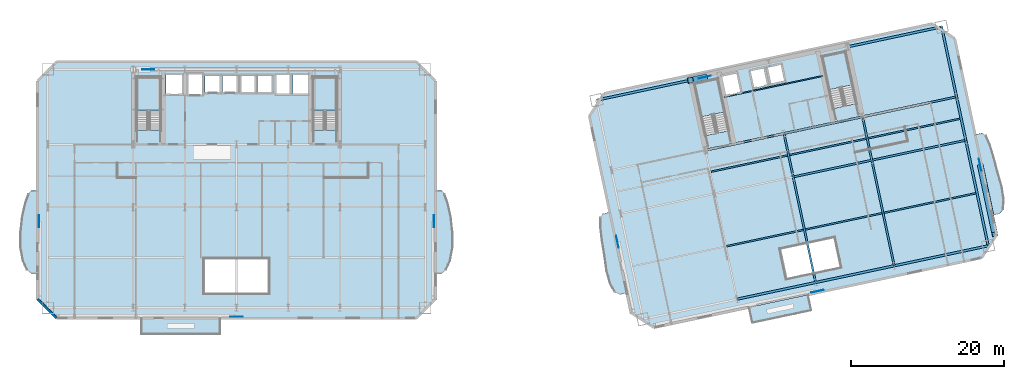
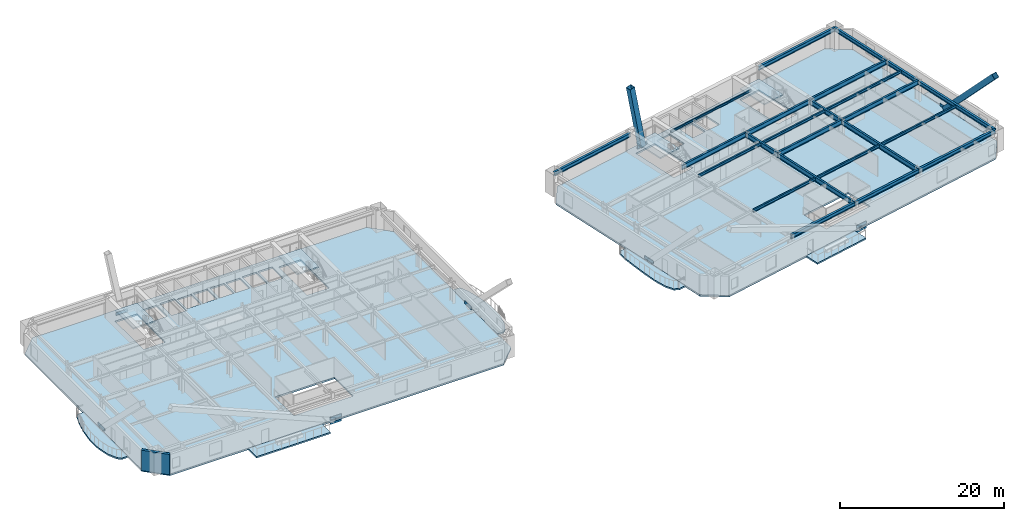
# One storey, part 4 of 18: 24 beams, 12 slabs, 8 plates, 2 members, 1 wall, 4 elements without a shape of their own.
"""IFC4 building model written with IfcOpenShell, lengths in metres."""

from ifc_helpers import new_model, si_unit, direction, frame, frame_2d, origin, origin_2d, place, context, subcontext, project, spatial, polyline, rectangle, hollow_rectangle, i_section, outline, extrude, material, layer, layer_set, material_profile, profile_set, type_object, element, aggregate, save


model = new_model("IFC4")

# Units and contexts
model_context = context("Model", 3, precision=1e-05, world=origin(), true_north=direction((0.0, 1.0)))
body_context = subcontext(model_context, "Body", "Model", "MODEL_VIEW")
ifc_project = project(units=[si_unit("LENGTHUNIT", "METRE"), si_unit("AREAUNIT", "SQUARE_METRE"), si_unit("VOLUMEUNIT", "CUBIC_METRE"), si_unit("PLANEANGLEUNIT", "RADIAN"), si_unit("MASSUNIT", "GRAM", prefix="KILO")], contexts=[model_context])

# Site, building, storey
site_placement = place(None, origin())
site = spatial("IfcSite", under=ifc_project, at=site_placement, CompositionType="ELEMENT")
building_placement = place(site_placement, origin())
building = spatial("IfcBuilding", under=site, at=building_placement, Name="Haevon Station Towers", CompositionType="ELEMENT")
storey_placement = place(building_placement, frame((0.0, 0.0, 60.300048828125)))
storey = spatial("IfcBuildingStorey", under=building, at=storey_placement, Name="L15", CompositionType="ELEMENT", Elevation=60.300048828125)

# Beams
ifc_material_1 = material(Name="Steel S355", Category="steel")
ifc_material_profile_1 = material_profile(ifc_material_1, i_section(OverallWidth=0.25, OverallDepth=0.699951171875, WebThickness=0.012939453125, FlangeThickness=0.02392578125, at=origin_2d()), Name="H-700x250x13x24")
ifc_profile_set_1 = profile_set([ifc_material_profile_1], Name="Steel S355")
beam_type_1 = type_object("IfcBeamType", Name="BM-G700", PredefinedType="BEAM", material=ifc_profile_set_1)
beam_1_placement = place(storey_placement, frame((110.228759765625, 33.9521484375, 2.699951171875), z_axis=(0.978146794194, 0.207915485254, 0.0), x_axis=(-0.207915485254, 0.978146794194, 0.0)))
element("IfcBeam", 1, at=beam_1_placement, inside=storey, type_object=beam_type_1, Name="BM-T2U-L15-02-03", PredefinedType="BEAM", context=body_context, shape_type="SweptSolid", body=[
    extrude(i_section(OverallWidth=0.25, OverallDepth=0.699951171875, WebThickness=0.012939453125, FlangeThickness=0.02392578125, at=origin_2d()), origin(), (0.0, 0.0, 1.0), 10.5),
])
beam_2_placement = place(storey_placement, frame((120.499267578125, 36.13525390625, 2.699951171875), z_axis=(0.978146686984, 0.207915989628, 0.0), x_axis=(-0.207915989628, 0.978146686984, 0.0)))
element("IfcBeam", 2, at=beam_2_placement, inside=storey, type_object=beam_type_1, Name="BM-T2U-L15-02-04", PredefinedType="BEAM", context=body_context, shape_type="SweptSolid", body=[
    extrude(i_section(OverallWidth=0.25, OverallDepth=0.699951171875, WebThickness=0.012939453125, FlangeThickness=0.02392578125, at=origin_2d()), origin(), (0.0, 0.0, 1.0), 12.550048828125),
])
for number, where, z_axis, x_axis, name in (
    (3, (98.75244140625, 37.4423828125, 2.699951171875), (0.978146794194, 0.207915485254, 0.0), (-0.207915485254, 0.978146794194, 0.0), "BM-T2U-L15-03-02"),
    (4, (109.02294921875, 39.62548828125, 2.699951171875), (0.978146794194, 0.207915485254, 0.0), (-0.207915485254, 0.978146794194, 0.0), "BM-T2U-L15-03-03"),
):
    element("IfcBeam", number, at=place(storey_placement, frame(where, z_axis=z_axis, x_axis=x_axis)), inside=storey, type_object=beam_type_1, Name=name, PredefinedType="BEAM", context=body_context, shape_type="SweptSolid", body=[
        extrude(i_section(OverallWidth=0.25, OverallDepth=0.699951171875, WebThickness=0.012939453125, FlangeThickness=0.02392578125, at=origin_2d()), origin(), (0.0, 0.0, 1.0), 10.5),
    ])
beam_3_placement = place(storey_placement, frame((119.29345703125, 41.80859375, 2.699951171875), z_axis=(0.978145846015, 0.207919945948, 0.0), x_axis=(-0.207919945948, 0.978145846015, 0.0)))
element("IfcBeam", 5, at=beam_3_placement, inside=storey, type_object=beam_type_1, Name="BM-T2U-L15-03-04", PredefinedType="BEAM", context=body_context, shape_type="SweptSolid", body=[
    extrude(i_section(OverallWidth=0.25, OverallDepth=0.699951171875, WebThickness=0.012939453125, FlangeThickness=0.02392578125, at=origin_2d()), origin(), (0.0, 0.0, 1.0), 12.5498046875),
])
beam_4_placement = place(storey_placement, frame((113.160400390625, 20.160400390625, 2.699951171875), z_axis=(-0.207919431961, 0.978145955271, 0.0), x_axis=(-0.978145955271, -0.207919431961, 0.0)))
element("IfcBeam", 6, at=beam_4_placement, inside=storey, type_object=beam_type_1, Name="BM-T2V-L15-03-01", PredefinedType="BEAM", context=body_context, shape_type="SweptSolid", body=[
    extrude(i_section(OverallWidth=0.25, OverallDepth=0.699951171875, WebThickness=0.012939453125, FlangeThickness=0.02392578125, at=origin_2d()), origin(), (0.0, 0.0, 1.0), 14.099853515625),
])
beam_5_placement = place(storey_placement, frame((110.228759765625, 33.9521484375, 2.699951171875), z_axis=(-0.207896009217, 0.97815093383, 0.0), x_axis=(-0.97815093383, -0.207896009217, 0.0)))
element("IfcBeam", 7, at=beam_5_placement, inside=storey, type_object=beam_type_1, Name="BM-T2V-L15-03-02", PredefinedType="BEAM", context=body_context, shape_type="SweptSolid", body=[
    extrude(i_section(OverallWidth=0.25, OverallDepth=0.699951171875, WebThickness=0.012939453125, FlangeThickness=0.02392578125, at=origin_2d()), origin(), (0.0, 0.0, 1.0), 5.800048828125),
])
beam_6_placement = place(storey_placement, frame((123.430908203125, 22.343505859375, 2.699951171875), z_axis=(-0.207919431961, 0.978145955271, 0.0), x_axis=(-0.978145955271, -0.207919431961, 0.0)))
element("IfcBeam", 8, at=beam_6_placement, inside=storey, type_object=beam_type_1, Name="BM-T2V-L15-04-01", PredefinedType="BEAM", context=body_context, shape_type="SweptSolid", body=[
    extrude(i_section(OverallWidth=0.25, OverallDepth=0.699951171875, WebThickness=0.012939453125, FlangeThickness=0.02392578125, at=origin_2d()), origin(), (0.0, 0.0, 1.0), 14.099853515625),
])
beam_7_placement = place(storey_placement, frame((120.499267578125, 36.13525390625, 2.699951171875), z_axis=(-0.207896009217, 0.97815093383, 0.0), x_axis=(-0.97815093383, -0.207896009217, 0.0)))
element("IfcBeam", 9, at=beam_7_placement, inside=storey, type_object=beam_type_1, Name="BM-T2V-L15-04-02", PredefinedType="BEAM", context=body_context, shape_type="SweptSolid", body=[
    extrude(i_section(OverallWidth=0.25, OverallDepth=0.699951171875, WebThickness=0.012939453125, FlangeThickness=0.02392578125, at=origin_2d()), origin(), (0.0, 0.0, 1.0), 5.800048828125),
])
ifc_material_profile_2 = material_profile(ifc_material_1, i_section(OverallWidth=0.199951171875, OverallDepth=0.39990234375, WebThickness=0.008056640625, FlangeThickness=0.012939453125, at=origin_2d()), Name="H-400x200x8x13")
ifc_profile_set_2 = profile_set([ifc_material_profile_2], Name="Steel S355")
beam_type_2 = type_object("IfcBeamType", Name="BM-J400", PredefinedType="JOIST", material=ifc_profile_set_2)
beam_8_placement = place(storey_placement, frame((101.531494140625, 24.89599609375, 2.849853515625), z_axis=(0.978145509903, 0.207921527161, 0.0), x_axis=(-0.207921527161, 0.978145509903, 0.0)))
element("IfcBeam", 10, at=beam_8_placement, inside=storey, type_object=beam_type_2, Name="BM-T2J-L15-01-02", PredefinedType="JOIST", context=body_context, shape_type="SweptSolid", body=[
    extrude(i_section(OverallWidth=0.199951171875, OverallDepth=0.39990234375, WebThickness=0.008056640625, FlangeThickness=0.012939453125, at=origin_2d()), origin(), (0.0, 0.0, 1.0), 10.280029296875),
])
beam_9_placement = place(storey_placement, frame((111.80224609375, 27.0791015625, 2.849853515625), z_axis=(0.97814448317, 0.207926357261, 0.0), x_axis=(-0.207926357261, 0.97814448317, 0.0)))
element("IfcBeam", 11, at=beam_9_placement, inside=storey, type_object=beam_type_2, Name="BM-T2J-L15-01-03", PredefinedType="JOIST", context=body_context, shape_type="SweptSolid", body=[
    extrude(i_section(OverallWidth=0.199951171875, OverallDepth=0.39990234375, WebThickness=0.008056640625, FlangeThickness=0.012939453125, at=origin_2d()), origin(), (0.0, 0.0, 1.0), 10.27978515625),
])
beam_10_placement = place(storey_placement, frame((122.07275390625, 29.26220703125, 2.849853515625), z_axis=(0.97814878519, 0.20790611831, 0.0), x_axis=(-0.20790611831, 0.97814878519, 0.0)))
element("IfcBeam", 12, at=beam_10_placement, inside=storey, type_object=beam_type_2, Name="BM-T2J-L15-01-04", PredefinedType="JOIST", context=body_context, shape_type="SweptSolid", body=[
    extrude(i_section(OverallWidth=0.199951171875, OverallDepth=0.39990234375, WebThickness=0.008056640625, FlangeThickness=0.012939453125, at=origin_2d()), origin(), (0.0, 0.0, 1.0), 12.330078125),
])
for number, where, z_axis, x_axis, name in (
    (13, (99.462890625, 34.628662109375, 2.849853515625), (0.978150339653, 0.207898804801, 0.0), (-0.207898804801, 0.978150339653, 0.0), "BM-T2J-L15-02-02"),
    (14, (109.7333984375, 36.811767578125, 2.849853515625), (0.978150339653, 0.207898804801, 0.0), (-0.207898804801, 0.978150339653, 0.0), "BM-T2J-L15-02-03"),
):
    element("IfcBeam", number, at=place(storey_placement, frame(where, z_axis=z_axis, x_axis=x_axis)), inside=storey, type_object=beam_type_2, Name=name, PredefinedType="JOIST", context=body_context, shape_type="SweptSolid", body=[
        extrude(i_section(OverallWidth=0.199951171875, OverallDepth=0.39990234375, WebThickness=0.008056640625, FlangeThickness=0.012939453125, at=origin_2d()), origin(), (0.0, 0.0, 1.0), 10.280029296875),
    ])
beam_11_placement = place(storey_placement, frame((120.00390625, 38.994873046875, 2.849853515625), z_axis=(0.97814878519, 0.20790611831, 0.0), x_axis=(-0.20790611831, 0.97814878519, 0.0)))
element("IfcBeam", 15, at=beam_11_placement, inside=storey, type_object=beam_type_2, Name="BM-T2J-L15-02-04", PredefinedType="JOIST", context=body_context, shape_type="SweptSolid", body=[
    extrude(i_section(OverallWidth=0.199951171875, OverallDepth=0.39990234375, WebThickness=0.008056640625, FlangeThickness=0.012939453125, at=origin_2d()), origin(), (0.0, 0.0, 1.0), 12.330078125),
])
ifc_material_profile_3 = material_profile(ifc_material_1, i_section(OverallWidth=0.14990234375, OverallDepth=0.300048828125, WebThickness=0.006591796875, FlangeThickness=0.009033203125, at=origin_2d()), Name="H-300x150x6.5x9")
ifc_profile_set_3 = profile_set([ifc_material_profile_3], Name="Steel S355")
beam_type_3 = type_object("IfcBeamType", Name="BM-LIN300", PredefinedType="LINTEL", material=ifc_profile_set_3)
beam_12_placement = place(storey_placement, frame((101.20849609375, 44.4052734375, 2.89990234375), z_axis=(0.978147802964, 0.207910739399, 0.0), x_axis=(-0.207910739399, 0.978147802964, 0.0)))
element("IfcBeam", 16, at=beam_12_placement, inside=storey, type_object=beam_type_3, Name="BM-T2LIN-L15", PredefinedType="LINTEL", context=body_context, shape_type="SweptSolid", body=[
    extrude(i_section(OverallWidth=0.14990234375, OverallDepth=0.300048828125, WebThickness=0.006591796875, FlangeThickness=0.009033203125, at=origin_2d()), origin(), (0.0, 0.0, 1.0), 13.19970703125),
])
ifc_material_profile_4 = material_profile(ifc_material_1, i_section(OverallWidth=0.300048828125, OverallDepth=0.587890625, WebThickness=0.011962890625, FlangeThickness=0.02001953125, at=origin_2d()), Name="H-588x300x12x20")
ifc_profile_set_4 = profile_set([ifc_material_profile_4], Name="Steel S355")
beam_type_4 = type_object("IfcBeamType", Name="BM-SP588", PredefinedType="SPANDREL", material=ifc_profile_set_4)
for number, where, z_axis, x_axis, name in (
    (17, (102.889892578125, 17.977294921875, 2.755859375), (0.978146794194, 0.207915485254, 0.0), (-0.207915485254, 0.978146794194, 0.0), "BM-T2U-L15-01-02"),
    (18, (113.160400390625, 20.160400390625, 2.755859375), (0.978146794194, 0.207915485254, 0.0), (-0.207915485254, 0.978146794194, 0.0), "BM-T2U-L15-01-03"),
):
    element("IfcBeam", number, at=place(storey_placement, frame(where, z_axis=z_axis, x_axis=x_axis)), inside=storey, type_object=beam_type_4, Name=name, PredefinedType="SPANDREL", context=body_context, shape_type="SweptSolid", body=[
        extrude(i_section(OverallWidth=0.300048828125, OverallDepth=0.587890625, WebThickness=0.011962890625, FlangeThickness=0.02001953125, at=origin_2d()), origin(), (0.0, 0.0, 1.0), 10.5),
    ])
for number, where, z_axis, x_axis, name in (
    (19, (123.430908203125, 22.343505859375, 2.755859375), (0.978149802248, 0.20790133324, 0.0), (-0.20790133324, 0.978149802248, 0.0), "BM-T2U-L15-01-04"),
    (20, (84.53271484375, 43.978759765625, 2.755859375), (0.978145846015, 0.207919945948, 0.0), (-0.207919945948, 0.978145846015, 0.0), "BM-T2U-L15-04-01"),
):
    element("IfcBeam", number, at=place(storey_placement, frame(where, z_axis=z_axis, x_axis=x_axis)), inside=storey, type_object=beam_type_4, Name=name, PredefinedType="SPANDREL", context=body_context, shape_type="SweptSolid", body=[
        extrude(i_section(OverallWidth=0.300048828125, OverallDepth=0.587890625, WebThickness=0.011962890625, FlangeThickness=0.02001953125, at=origin_2d()), origin(), (0.0, 0.0, 1.0), 12.5498046875),
    ])
beam_13_placement = place(storey_placement, frame((117.349365234375, 50.954345703125, 2.755859375), z_axis=(0.978150643069, 0.207897377242, 0.0), x_axis=(-0.207897377242, 0.978150643069, 0.0)))
element("IfcBeam", 21, at=beam_13_placement, inside=storey, type_object=beam_type_4, Name="BM-T2U-L15-04-04", PredefinedType="SPANDREL", context=body_context, shape_type="SweptSolid", body=[
    extrude(i_section(OverallWidth=0.300048828125, OverallDepth=0.587890625, WebThickness=0.011962890625, FlangeThickness=0.02001953125, at=origin_2d()), origin(), (0.0, 0.0, 1.0), 12.550048828125),
])
beam_14_placement = place(storey_placement, frame((135.70654296875, 24.95263671875, 2.755859375), z_axis=(-0.207899344185, 0.97815022501, 0.0), x_axis=(-0.97815022501, -0.207899344185, 0.0)))
element("IfcBeam", 22, at=beam_14_placement, inside=storey, type_object=beam_type_4, Name="BM-T2V-L15-05-01", PredefinedType="SPANDREL", context=body_context, shape_type="SweptSolid", body=[
    extrude(i_section(OverallWidth=0.300048828125, OverallDepth=0.587890625, WebThickness=0.011962890625, FlangeThickness=0.02001953125, at=origin_2d()), origin(), (0.0, 0.0, 1.0), 14.10009765625),
])
beam_15_placement = place(storey_placement, frame((132.775146484375, 38.74462890625, 2.755859375), z_axis=(-0.207936282142, 0.978142373363, 0.0), x_axis=(-0.978142373363, -0.207936282142, 0.0)))
element("IfcBeam", 23, at=beam_15_placement, inside=storey, type_object=beam_type_4, Name="BM-T2V-L15-05-02", PredefinedType="SPANDREL", context=body_context, shape_type="SweptSolid", body=[
    extrude(i_section(OverallWidth=0.300048828125, OverallDepth=0.587890625, WebThickness=0.011962890625, FlangeThickness=0.02001953125, at=origin_2d()), origin(), (0.0, 0.0, 1.0), 5.800048828125),
])
beam_16_placement = place(storey_placement, frame((131.569091796875, 44.41796875, 2.755859375), z_axis=(-0.207902477038, 0.978149559138, 0.0), x_axis=(-0.978149559138, -0.207902477038, 0.0)))
element("IfcBeam", 24, at=beam_16_placement, inside=storey, type_object=beam_type_4, Name="BM-T2V-L15-05-03", PredefinedType="SPANDREL", context=body_context, shape_type="SweptSolid", body=[
    extrude(i_section(OverallWidth=0.300048828125, OverallDepth=0.587890625, WebThickness=0.011962890625, FlangeThickness=0.02001953125, at=origin_2d()), origin(), (0.0, 0.0, 1.0), 9.349853515625),
])

# Members
ifc_material_2 = material(Name="Steel S460", Category="steel")
ifc_material_profile_5 = material_profile(ifc_material_2, hollow_rectangle(XDim=0.75, YDim=0.75, WallThickness=0.035888671875, at=origin_2d()), Name="RHS-750x750x36")
ifc_profile_set_5 = profile_set([ifc_material_profile_5], Name="Steel S460")
member_type = type_object("IfcMemberType", Name="MB-750", PredefinedType="BRACE", material=ifc_profile_set_5)
member_1_placement = place(storey_placement, frame((98.618896484375, 46.972900390625, 0.244873046875), z_axis=(-0.186968982425, -0.039733429922, 0.981561946164), x_axis=(0.207871375742, -0.978156169099, 0.0)))
element("IfcMember", 25, at=member_1_placement, inside=storey, type_object=member_type, Name="BR-T2MB-T01-N-D2B", PredefinedType="BRACE", context=body_context, shape_type="SweptSolid", body=[
    extrude(hollow_rectangle(XDim=0.75, YDim=0.75, WallThickness=0.035888671875, at=origin_2d()), origin(), (0.0, 0.0, 1.0), 9.68359375),
])
member_2_placement = place(storey_placement, frame((134.702392578125, 35.304931640625, 0.146728515625), z_axis=(0.142463526517, -0.670248860522, 0.728334132511), x_axis=(0.978148273478, 0.207908525779, 0.0)))
element("IfcMember", 26, at=member_2_placement, inside=storey, type_object=member_type, Name="BR-T2MB-T01-E-D2B", PredefinedType="BRACE", context=body_context, shape_type="SweptSolid", body=[
    extrude(hollow_rectangle(XDim=0.75, YDim=0.75, WallThickness=0.035888671875, at=origin_2d()), origin(), (0.0, 0.0, 1.0), 13.185302734375),
])

# Plates
ifc_material_3 = material(Name="PL-GUS1", Category="steel")
ifc_layer_1 = layer(ifc_material_3, 0.035888671875)
ifc_layer_set_1 = layer_set([ifc_layer_1], Name="PL-GUS1")
plate_type = type_object("IfcPlateType", Name="PL-GUS1", PredefinedType="USERDEFINED", material=ifc_layer_set_1)
for number, where, z_axis, x_axis, name in (
    (27, (37.5, 15.679931640625, -0.68505859375), (0.0, 0.0, 1.0), (1.0, 0.0, 0.0), "PL-T1GUS-T01-S"),
    (28, (25.97509765625, 48.0, -0.68505859375), (0.0, 0.0, 1.0), (1.0, 0.0, 0.0), "PL-T1GUS-T01-N"),
    (29, (11.679931640625, 28.175048828125, -0.68505859375), (0.0, 0.0, 1.0), (0.0, 1.0, 0.0), "PL-T1GUS-T01-W"),
    (30, (63.320068359375, 28.175048828125, -0.68505859375), (0.0, 0.0, 1.0), (0.0, 1.0, 0.0), "PL-T1GUS-T01-E"),
    (31, (113.403564453125, 19.015869140625, -0.68505859375), (0.0, 0.0, 1.0), (0.978147600734, 0.207911690818, 0.0), "PL-T2GUS-T01-S"),
    (32, (98.69140625, 46.98828125, -0.68505859375), (0.0, 0.0, 1.0), (0.978147600734, 0.207911690818, 0.0), "PL-T2GUS-T01-N"),
    (33, (87.265625, 25.4931640625, -0.68505859375), (0.0, 0.0, 1.0), (-0.207911690818, 0.978147600734, 0.0), "PL-T2GUS-T01-W"),
    (34, (134.647216796875, 35.564453125, -0.68505859375), (0.0, 0.0, 1.0), (-0.207911690818, 0.978147600734, 0.0), "PL-T2GUS-T01-E"),
):
    element("IfcPlate", number, at=place(storey_placement, frame(where, z_axis=z_axis, x_axis=x_axis)), inside=storey, type_object=plate_type, Name=name, ObjectType="GUSSET_PLATE", PredefinedType="USERDEFINED", context=body_context, shape_type="SweptSolid", body=[
        extrude(rectangle(XDim=1.60009765625, YDim=0.035888671875, at=origin_2d()), origin(), (0.0, 0.0, 1.0), 1.10009765625),
    ])

# Slabs
ifc_material_4 = material(Name="Concrete C40/50", Category="concrete")
ifc_layer_2 = layer(ifc_material_4, 0.219970703125)
ifc_layer_set_2 = layer_set([ifc_layer_2], Name="Concrete C40/50")
slab_type_1 = type_object("IfcSlabType", Name="SL-BALC220", PredefinedType="FLOOR", material=ifc_layer_set_2)
slab_1_placement = place(storey_placement, frame((0.0, 0.0, -0.219970703125)))
element("IfcSlab", 35, at=slab_1_placement, inside=storey, type_object=slab_type_1, Name="Tower 1 L15 West SCALLOPED BALCONY", PredefinedType="FLOOR", context=body_context, shape_type="SweptSolid", body=[
    extrude(outline(polyline([(11.4951171875, 32.14990234375), (10.64501953125, 32.14990234375), (10.309814453125, 31.739013671875), (9.900634765625, 30.568359375), (9.48779296875, 28.81640625), (9.215576171875, 26.75), (9.2451171875, 24.68359375), (9.602783203125, 22.931640625), (10.14697265625, 21.760986328125), (10.64501953125, 21.35009765625), (11.4951171875, 21.35009765625), (11.4951171875, 32.14990234375)])), origin(), (0.0, 0.0, 1.0), 0.219970703125),
])
slab_2_placement = place(storey_placement, frame((0.0, 0.0, -0.219970703125)))
element("IfcSlab", 36, at=slab_2_placement, inside=storey, type_object=slab_type_1, Name="Tower 1 L15 East SCALLOPED BALCONY", PredefinedType="FLOOR", context=body_context, shape_type="SweptSolid", body=[
    extrude(outline(polyline([(63.5048828125, 21.35009765625), (64.35498046875, 21.35009765625), (64.85302734375, 21.760986328125), (65.397216796875, 22.931640625), (65.7548828125, 24.68359375), (65.784423828125, 26.75), (65.51220703125, 28.81640625), (65.099365234375, 30.568359375), (64.690185546875, 31.739013671875), (64.35498046875, 32.14990234375), (63.5048828125, 32.14990234375), (63.5048828125, 21.35009765625)])), origin(), (0.0, 0.0, 1.0), 0.219970703125),
])
slab_3_placement = place(storey_placement, frame((0.0, 0.0, -0.219970703125)))
element("IfcSlab", 37, at=slab_3_placement, inside=storey, type_object=slab_type_1, Name="Tower 1 L15 Planted Balcony Band", PredefinedType="FLOOR", context=body_context, shape_type="SweptSolid", body=[
    extrude(outline(polyline([(25.0, 13.39990234375), (35.39990234375, 13.39990234375), (35.39990234375, 15.4951171875), (25.0, 15.4951171875), (25.0, 13.39990234375)])), origin(), (0.0, 0.0, 1.0), 0.219970703125),
])
slab_4_placement = place(storey_placement, frame((0.0, 0.0, -0.219970703125)))
element("IfcSlab", 38, at=slab_4_placement, inside=storey, type_object=slab_type_1, Name="Tower 2 L15 West SCALLOPED BALCONY", PredefinedType="FLOOR", context=body_context, shape_type="SweptSolid", body=[
    extrude(outline(polyline([(86.25830078125, 29.3427734375), (85.32177734375, 29.143798828125), (85.025146484375, 28.660400390625), (85.027587890625, 27.464111328125), (85.225341796875, 25.715087890625), (85.50244140625, 23.661376953125), (85.84716796875, 21.6220703125), (86.323974609375, 19.932373046875), (86.9404296875, 18.86669921875), (87.5673828125, 18.579833984375), (88.503662109375, 18.77880859375), (86.25830078125, 29.3427734375)])), origin(), (0.0, 0.0, 1.0), 0.219970703125),
])
slab_5_placement = place(storey_placement, frame((0.0, 0.0, -0.219970703125)))
element("IfcSlab", 39, at=slab_5_placement, inside=storey, type_object=slab_type_1, Name="Tower 2 L15 East SCALLOPED BALCONY", PredefinedType="FLOOR", context=body_context, shape_type="SweptSolid", body=[
    extrude(outline(polyline([(136.2470703125, 28.927001953125), (137.18359375, 29.1259765625), (137.6396484375, 29.64306640625), (137.769287109375, 30.867431640625), (137.517578125, 32.60498046875), (137.0029296875, 34.608154296875), (136.4208984375, 36.59716796875), (135.89013671875, 38.275390625), (135.40576171875, 39.369140625), (134.938232421875, 39.68994140625), (134.001708984375, 39.490966796875), (136.2470703125, 28.927001953125)])), origin(), (0.0, 0.0, 1.0), 0.219970703125),
])
slab_6_placement = place(storey_placement, frame((0.0, 0.0, -0.219970703125)))
element("IfcSlab", 40, at=slab_6_placement, inside=storey, type_object=slab_type_1, Name="Tower 2 L15 Planted Balcony Band", PredefinedType="FLOOR", context=body_context, shape_type="SweptSolid", body=[
    extrude(outline(polyline([(104.829833984375, 14.862548828125), (112.655029296875, 16.52587890625), (112.219482421875, 18.574951171875), (104.394287109375, 16.911865234375), (104.829833984375, 14.862548828125)])), origin(), (0.0, 0.0, 1.0), 0.219970703125),
])

# Stair, slab
stair_type = type_object("IfcStairType", Name="STR-DL1450", PredefinedType="USERDEFINED", material=ifc_material_4)
stair_1_placement = place(storey_placement, origin())
stair_1 = element("IfcStair", 41, at=stair_1_placement, inside=storey, type_object=stair_type, Name="L15 Escape Stair ST1", ObjectType="TWO_RETURN_STAIR", PredefinedType="USERDEFINED")
ifc_layer_3 = layer(ifc_material_4, 0.199951171875)
ifc_layer_set_3 = layer_set([ifc_layer_3], Name="Concrete C40/50")
slab_type_2 = type_object("IfcSlabType", Name="SL-LND200", PredefinedType="LANDING", material=ifc_layer_set_3)
slab_7_placement = place(storey_placement, frame((0.0, 0.0, 1.449951171875)))
slab_7 = element("IfcSlab", 42, at=slab_7_placement, type_object=slab_type_2, Name="L15 ST1 Half Landing 1", PredefinedType="LANDING", context=body_context, shape_type="SweptSolid", body=[
    extrude(outline(polyline([(27.580078125, 42.56396484375), (27.580078125, 47.0), (24.47998046875, 47.0), (24.47998046875, 42.56396484375), (27.580078125, 42.56396484375)])), origin(), (0.0, 0.0, 1.0), 0.199951171875),
])
aggregate(stair_1, [slab_7])

stair_2_placement = place(storey_placement, origin())
stair_2 = element("IfcStair", 43, at=stair_2_placement, inside=storey, type_object=stair_type, Name="L15 Escape Stair ST2", ObjectType="TWO_RETURN_STAIR", PredefinedType="USERDEFINED")
slab_8_placement = place(storey_placement, frame((0.0, 0.0, 1.449951171875)))
slab_8 = element("IfcSlab", 44, at=slab_8_placement, type_object=slab_type_2, Name="L15 ST2 Half Landing 1", PredefinedType="LANDING", context=body_context, shape_type="SweptSolid", body=[
    extrude(outline(polyline([(50.6201171875, 42.56396484375), (50.6201171875, 47.0), (47.52001953125, 47.0), (47.52001953125, 42.56396484375), (50.6201171875, 42.56396484375)])), origin(), (0.0, 0.0, 1.0), 0.199951171875),
])
aggregate(stair_2, [slab_8])

stair_3_placement = place(storey_placement, origin())
stair_3 = element("IfcStair", 45, at=stair_3_placement, inside=storey, type_object=stair_type, Name="L15 Escape Stair ST3", ObjectType="TWO_RETURN_STAIR", PredefinedType="USERDEFINED")
slab_9_placement = place(storey_placement, frame((0.0, 0.0, 1.449951171875)))
slab_9 = element("IfcSlab", 46, at=slab_9_placement, type_object=slab_type_2, Name="L15 ST3 Half Landing 1", PredefinedType="LANDING", context=body_context, shape_type="SweptSolid", body=[
    extrude(outline(polyline([(101.2880859375, 42.44287109375), (100.36572265625, 46.781982421875), (97.33349609375, 46.137451171875), (98.255859375, 41.79833984375), (101.2880859375, 42.44287109375)])), origin(), (0.0, 0.0, 1.0), 0.199951171875),
])
aggregate(stair_3, [slab_9])

stair_4_placement = place(storey_placement, origin())
stair_4 = element("IfcStair", 47, at=stair_4_placement, inside=storey, type_object=stair_type, Name="L15 Escape Stair ST4", ObjectType="TWO_RETURN_STAIR", PredefinedType="USERDEFINED")
slab_10_placement = place(storey_placement, frame((0.0, 0.0, 1.449951171875)))
slab_10 = element("IfcSlab", 48, at=slab_10_placement, type_object=slab_type_2, Name="L15 ST4 Half Landing 1", PredefinedType="LANDING", context=body_context, shape_type="SweptSolid", body=[
    extrude(outline(polyline([(117.975341796875, 45.989990234375), (117.052978515625, 50.328857421875), (114.020751953125, 49.684326171875), (114.943115234375, 45.345458984375), (117.975341796875, 45.989990234375)])), origin(), (0.0, 0.0, 1.0), 0.199951171875),
])
aggregate(stair_4, [slab_10])

# Slabs
ifc_layer_4 = layer(ifc_material_4, 0.25)
ifc_layer_set_4 = layer_set([ifc_layer_4], Name="Concrete C40/50")
slab_type_3 = type_object("IfcSlabType", Name="SL-TW250", PredefinedType="FLOOR", material=ifc_layer_set_4)
slab_11_placement = place(storey_placement, frame((0.0, 0.0, -0.25)))
element("IfcSlab", 49, at=slab_11_placement, inside=storey, type_object=slab_type_3, Name="SL-T1-L15", PredefinedType="FLOOR", context=body_context, shape_type="SweptSolid", body=[
    extrude(outline(polyline([(14.0, 15.5), (61.0, 15.5), (63.5, 18.0), (63.5, 46.5), (61.0, 49.0), (14.0, 49.0), (11.5, 46.5), (11.5, 18.0), (14.0, 15.5)]), holes=[polyline([(27.580078125, 40.055908203125), (27.580078125, 47.0), (24.47998046875, 47.0), (24.47998046875, 40.055908203125), (27.580078125, 40.055908203125)]), polyline([(50.6201171875, 40.055908203125), (50.6201171875, 47.0), (47.52001953125, 47.0), (47.52001953125, 40.055908203125), (50.6201171875, 40.055908203125)]), polyline([(28.300048828125, 44.699951171875), (30.5, 44.699951171875), (30.5, 47.39990234375), (28.300048828125, 47.39990234375), (28.300048828125, 44.699951171875)]), polyline([(31.050048828125, 44.60009765625), (33.14990234375, 44.60009765625), (33.14990234375, 47.5), (31.050048828125, 47.5), (31.050048828125, 44.60009765625)]), polyline([(33.39990234375, 44.89990234375), (35.39990234375, 44.89990234375), (35.39990234375, 47.300048828125), (33.39990234375, 47.300048828125), (33.39990234375, 44.89990234375)]), polyline([(35.64990234375, 44.89990234375), (37.64990234375, 44.89990234375), (37.64990234375, 47.300048828125), (35.64990234375, 47.300048828125), (35.64990234375, 44.89990234375)]), polyline([(38.0, 44.89990234375), (40.0, 44.89990234375), (40.0, 47.300048828125), (38.0, 47.300048828125), (38.0, 44.89990234375)]), polyline([(40.25, 44.89990234375), (42.25, 44.89990234375), (42.25, 47.300048828125), (40.25, 47.300048828125), (40.25, 44.89990234375)]), polyline([(42.60009765625, 44.699951171875), (44.60009765625, 44.699951171875), (44.60009765625, 47.39990234375), (42.60009765625, 47.39990234375), (42.60009765625, 44.699951171875)]), polyline([(44.85009765625, 44.699951171875), (46.85009765625, 44.699951171875), (46.85009765625, 47.39990234375), (44.85009765625, 47.39990234375), (44.85009765625, 44.699951171875)]), polyline([(33.300048828125, 18.699951171875), (41.699951171875, 18.699951171875), (41.699951171875, 23.300048828125), (33.300048828125, 23.300048828125), (33.300048828125, 18.699951171875)])]), origin(), (0.0, 0.0, 1.0), 0.25),
])
slab_12_placement = place(storey_placement, frame((0.0, 0.0, -0.25)))
element("IfcSlab", 50, at=slab_12_placement, inside=storey, type_object=slab_type_3, Name="SL-T2-L15", PredefinedType="FLOOR", context=body_context, shape_type="SweptSolid", body=[
    extrude(outline(polyline([(92.01953125, 14.28662109375), (134.862548828125, 23.39306640625), (136.7880859375, 26.358154296875), (131.330322265625, 52.03466796875), (128.365234375, 53.960205078125), (85.5224609375, 44.853759765625), (83.5966796875, 41.888427734375), (89.054443359375, 16.212158203125), (92.01953125, 14.28662109375)]), holes=[polyline([(101.8095703125, 39.98974609375), (100.36572265625, 46.781982421875), (97.33349609375, 46.137451171875), (98.77734375, 39.34521484375), (101.8095703125, 39.98974609375)]), polyline([(118.496826171875, 43.53662109375), (117.052978515625, 50.328857421875), (114.020751953125, 49.684326171875), (115.464599609375, 42.89208984375), (118.496826171875, 43.53662109375)]), polyline([(101.43212890625, 44.554931640625), (103.486328125, 44.99169921875), (102.9248046875, 47.632568359375), (100.870849609375, 47.196044921875), (101.43212890625, 44.554931640625)]), polyline([(105.009765625, 45.519775390625), (106.966064453125, 45.935791015625), (106.467041015625, 48.283203125), (104.5107421875, 47.867431640625), (105.009765625, 45.519775390625)]), polyline([(107.259521484375, 45.998046875), (109.2158203125, 46.413818359375), (108.716796875, 48.761474609375), (106.760498046875, 48.345703125), (107.259521484375, 45.998046875)]), polyline([(109.379150390625, 20.634521484375), (116.421875, 22.131591796875), (115.590087890625, 26.044189453125), (108.54736328125, 24.547119140625), (109.379150390625, 20.634521484375)])]), origin(), (0.0, 0.0, 1.0), 0.25),
])

# Wall
ifc_material_5 = material(Name="Precast concrete C45/55", Category="concrete")
ifc_layer_5 = layer(ifc_material_5, 0.340087890625)
ifc_layer_set_5 = layer_set([ifc_layer_5], Name="Precast concrete C45/55")
wall_type = type_object("IfcWallType", Name="WL-EXT-PIER340", PredefinedType="SOLIDWALL", material=ifc_layer_set_5)
wall_placement = place(storey_placement, frame((14.0, 15.5, 0.0), z_axis=(0.0, 0.0, 1.0), x_axis=(-0.707106781187, 0.707106781187, 0.0)))
element("IfcWall", 51, at=wall_placement, inside=storey, type_object=wall_type, Name="WL-T1-L15-SWC", PredefinedType="SOLIDWALL", context=body_context, shape_type="SweptSolid", body=[
    extrude(rectangle(XDim=3.53564453125, YDim=0.340087890625, at=frame_2d((1.767822265625, 0.0))), origin(), (0.0, 0.0, 1.0), 3.030029296875),
])

save(model, "model.ifc")
